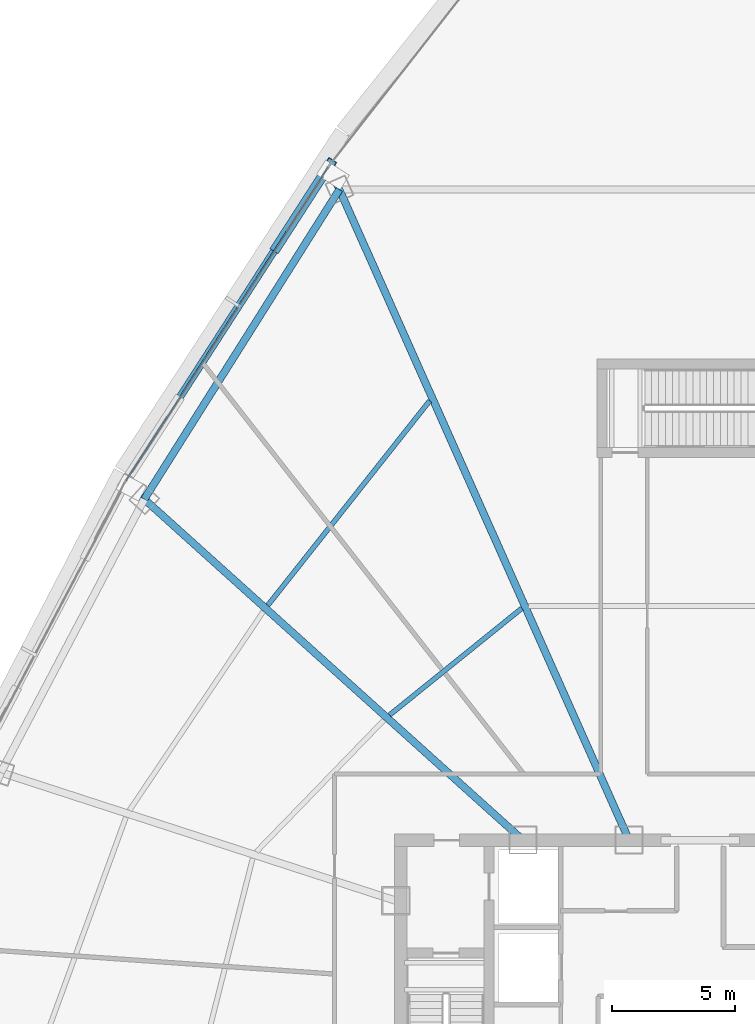
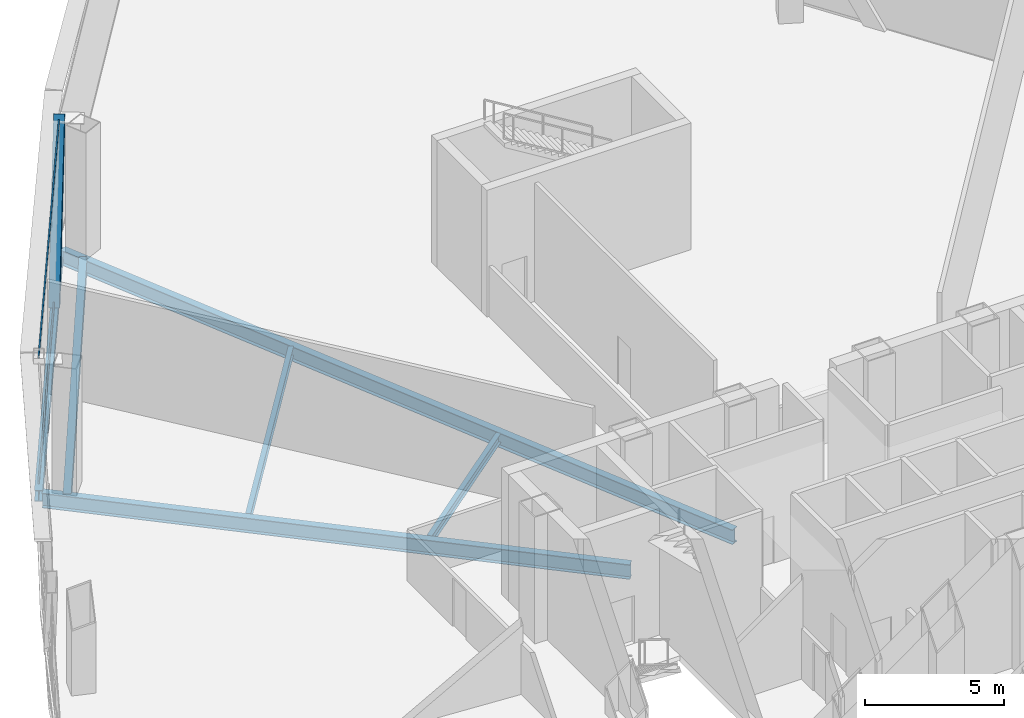
# One storey, part 17 of 38: 6 beams, 3 members, 1 element without a shape of its own.
"""IFC4 building model written with IfcOpenShell, lengths in metres."""

from ifc_helpers import new_model, si_unit, direction, frame, origin, origin_2d, place, context, subcontext, project, spatial, hollow_rectangle, i_section, extrude, source, transform, mapped, material, layer, layer_set, material_profile, profile_set, type_object, element, aggregate, save


model = new_model("IFC4")

# Units and contexts
model_context = context("Model", 3, precision=1e-05, world=origin(), true_north=direction((0.0, 1.0)))
body_context = subcontext(model_context, "Body", "Model", "MODEL_VIEW")
ifc_project = project(units=[si_unit("LENGTHUNIT", "METRE"), si_unit("AREAUNIT", "SQUARE_METRE"), si_unit("VOLUMEUNIT", "CUBIC_METRE"), si_unit("PLANEANGLEUNIT", "RADIAN"), si_unit("MASSUNIT", "GRAM", prefix="KILO"), si_unit("THERMODYNAMICTEMPERATUREUNIT", "KELVIN"), si_unit("POWERUNIT", "WATT")], contexts=[model_context])

# Site, building, storey
site_placement = place(None, origin())
site = spatial("IfcSite", under=ifc_project, at=site_placement, CompositionType="ELEMENT")
building_placement = place(site_placement, origin())
building = spatial("IfcBuilding", under=site, at=building_placement, Name="Yunzhuo Pagoda Commons", CompositionType="ELEMENT")
storey_placement = place(building_placement, frame((0.0, 0.0, 218.9599609375)))
storey = spatial("IfcBuildingStorey", under=building, at=storey_placement, Name="L55", CompositionType="ELEMENT", Elevation=218.9599609375)

# Beams
ifc_material_1 = material(Name="Structural steel Q355B", Category="steel")
ifc_material_profile_1 = material_profile(ifc_material_1, i_section(OverallWidth=0.300048828125, OverallDepth=0.64990234375, WebThickness=0.012939453125, FlangeThickness=0.02197265625, at=origin_2d()), Name="Structural steel Q355B")
ifc_profile_set_1 = profile_set([ifc_material_profile_1], Name="Structural steel Q355B")
beam_type_1 = type_object("IfcBeamType", Name="B-RG2 Beam HN 650x300x13x22", PredefinedType="BEAM", material=ifc_profile_set_1)
shared_shape_1 = source(origin(), body_context, "Body", "SweptSolid", [
    extrude(i_section(OverallWidth=0.300048828125, OverallDepth=0.64990234375, WebThickness=0.012939453125, FlangeThickness=0.02197265625, at=origin_2d()), origin(), (0.0, 0.0, 1.0), 14.916015625),
])
beam_1_placement = place(storey_placement, frame((33.301025390625, 66.714599609375, -0.604736328125), z_axis=(-0.533092374013, -0.846057043449, 0.0), x_axis=(0.846057043449, -0.533092374013, 0.0)))
element("IfcBeam", 1, at=beam_1_placement, inside=storey, type_object=beam_type_1, Name="L55 column-ring beam 9", PredefinedType="BEAM", context=body_context, shape_type="MappedRepresentation", body=[
    mapped(shared_shape_1, transform((0.0, 0.0, 0.0), scale=1.0)),
])
ifc_material_profile_2 = material_profile(ifc_material_1, i_section(OverallWidth=0.199951171875, OverallDepth=0.39990234375, WebThickness=0.008056640625, FlangeThickness=0.012939453125, at=origin_2d()), Name="Structural steel Q355B")
ifc_profile_set_2 = profile_set([ifc_material_profile_2], Name="Structural steel Q355B")
beam_type_2 = type_object("IfcBeamType", Name="B-JS1 Joist HN 400x200x8x13", PredefinedType="JOIST", material=ifc_profile_set_2)
shared_shape_2 = source(origin(), body_context, "Body", "SweptSolid", [
    extrude(i_section(OverallWidth=0.199951171875, OverallDepth=0.39990234375, WebThickness=0.008056640625, FlangeThickness=0.012939453125, at=origin_2d()), origin(), (0.0, 0.0, 1.0), 6.916748046875),
])
beam_2_placement = place(storey_placement, frame((40.732421875, 49.645263671875, -0.479736328125), z_axis=(-0.778265575865, -0.627935262127, 0.0), x_axis=(0.627935262127, -0.778265575865, 0.0)))
element("IfcBeam", 2, at=beam_2_placement, inside=storey, type_object=beam_type_2, Name="L55 composite ring joist 1.9", PredefinedType="JOIST", context=body_context, shape_type="MappedRepresentation", body=[
    mapped(shared_shape_2, transform((0.0, 0.0, 0.0), scale=1.0)),
])
shared_shape_3 = source(origin(), body_context, "Body", "SweptSolid", [
    extrude(i_section(OverallWidth=0.199951171875, OverallDepth=0.39990234375, WebThickness=0.008056640625, FlangeThickness=0.012939453125, at=origin_2d()), origin(), (0.0, 0.0, 1.0), 10.625732421875),
])
beam_3_placement = place(storey_placement, frame((36.980224609375, 58.105224609375, -0.479736328125), z_axis=(-0.620589944532, -0.784135269418, 0.0), x_axis=(0.784135269418, -0.620589944532, 0.0)))
element("IfcBeam", 3, at=beam_3_placement, inside=storey, type_object=beam_type_2, Name="L55 composite ring joist 2.9", PredefinedType="JOIST", context=body_context, shape_type="MappedRepresentation", body=[
    mapped(shared_shape_3, transform((0.0, 0.0, 0.0), scale=1.0)),
])
shared_shape_4 = source(origin(), body_context, "Body", "SweptSolid", [
    extrude(i_section(OverallWidth=0.300048828125, OverallDepth=0.64990234375, WebThickness=0.012939453125, FlangeThickness=0.02197265625, at=origin_2d()), origin(), (0.0, 0.0, 1.0), 21.66064453125),
])
beam_4_placement = place(storey_placement, frame((24.68408203125, 54.69384765625, -0.604736328125), z_axis=(0.743141125535, -0.669134715539, 0.0), x_axis=(0.669134715539, 0.743141125535, 0.0)))
element("IfcBeam", 4, at=beam_4_placement, inside=storey, type_object=beam_type_1, Name="L55 radial floor girder F3C2", PredefinedType="BEAM", context=body_context, shape_type="MappedRepresentation", body=[
    mapped(shared_shape_4, transform((0.0, 0.0, 0.0), scale=1.0)),
])
shared_shape_5 = source(origin(), body_context, "Body", "SweptSolid", [
    extrude(i_section(OverallWidth=0.300048828125, OverallDepth=0.64990234375, WebThickness=0.012939453125, FlangeThickness=0.02197265625, at=origin_2d()), origin(), (0.0, 0.0, 1.0), 29.918701171875),
])
beam_5_placement = place(storey_placement, frame((32.93701171875, 67.531982421875, -0.604736328125), z_axis=(0.406734996524, -0.913546190733, 0.0), x_axis=(0.913546190733, 0.406734996524, 0.0)))
element("IfcBeam", 5, at=beam_5_placement, inside=storey, type_object=beam_type_1, Name="L55 radial floor girder F3C1", PredefinedType="BEAM", context=body_context, shape_type="MappedRepresentation", body=[
    mapped(shared_shape_5, transform((0.0, 0.0, 0.0), scale=1.0)),
])
ifc_material_profile_3 = material_profile(ifc_material_1, i_section(OverallWidth=0.300048828125, OverallDepth=0.488037109375, WebThickness=0.010986328125, FlangeThickness=0.01806640625, at=origin_2d()), Name="Structural steel Q355B")
ifc_profile_set_3 = profile_set([ifc_material_profile_3], Name="Structural steel Q355B")
beam_type_3 = type_object("IfcBeamType", Name="B-SP1 Beam HM 488x300x11x18", PredefinedType="BEAM", material=ifc_profile_set_3)
shared_shape_6 = source(origin(), body_context, "Body", "SweptSolid", [
    extrude(i_section(OverallWidth=0.300048828125, OverallDepth=0.488037109375, WebThickness=0.010986328125, FlangeThickness=0.01806640625, at=origin_2d()), origin(), (0.0, 0.0, 1.0), 15.322265625),
])
beam_6_placement = place(storey_placement, frame((32.8740234375, 67.673583984375, -0.52392578125), z_axis=(-0.542020526887, -0.84036524704, 0.0), x_axis=(0.84036524704, -0.542020526887, 0.0)))
element("IfcBeam", 6, at=beam_6_placement, inside=storey, type_object=beam_type_3, Name="L55 facade edge spandrel beam F3.1", PredefinedType="BEAM", context=body_context, shape_type="MappedRepresentation", body=[
    mapped(shared_shape_6, transform((0.0, 0.0, 0.0), scale=1.0)),
])

# Member
ifc_material_profile_4 = material_profile(ifc_material_1, hollow_rectangle(XDim=0.39990234375, YDim=0.719970703125, WallThickness=0.02392578125, at=origin_2d()), Name="Structural steel Q355B")
ifc_profile_set_4 = profile_set([ifc_material_profile_4], Name="Structural steel Q355B")
member_type_1 = type_object("IfcMemberType", Name="M-DL2 Brace BOX 720x400x24", PredefinedType="BRACE", material=ifc_profile_set_4)
shared_shape_7 = source(origin(), body_context, "Body", "SweptSolid", [
    extrude(hollow_rectangle(XDim=0.39990234375, YDim=0.719970703125, WallThickness=0.02392578125, at=origin_2d()), origin(), (0.0, 0.0, 1.0), 6.99267578125),
])
member_1_placement = place(storey_placement, frame((30.7978515625, 64.45458984375, -0.280029296875), z_axis=(0.296911070423, 0.460344833435, 0.8366160712), x_axis=(-0.840367823728, 0.542016531891, 0.0)))
element("IfcMember", 7, at=member_1_placement, inside=storey, type_object=member_type_1, Name="L55 facade diamond brace F3.1L", PredefinedType="BRACE", context=body_context, shape_type="MappedRepresentation", body=[
    mapped(shared_shape_7, transform((0.0, 0.0, 0.0), scale=1.0)),
])

# Curtain wall, members
ifc_material_2 = material(Name="Anodized aluminium 6063-T6", Category="aluminium")
ifc_layer = layer(ifc_material_2, 0.14990234375)
ifc_layer_set = layer_set([ifc_layer], Name="Anodized aluminium 6063-T6")
curtain_wall_type = type_object("IfcCurtainWallType", Name="CW-MID Mid-Zone Ribbon Curtain Wall", PredefinedType="NOTDEFINED", material=ifc_layer_set)
curtain_wall_placement = place(storey_placement, origin())
curtain_wall = element("IfcCurtainWall", 8, at=curtain_wall_placement, inside=storey, type_object=curtain_wall_type, Name="L55 curtain wall CW-L55-F3B2", PredefinedType="NOTDEFINED")
ifc_material_profile_5 = material_profile(ifc_material_2, hollow_rectangle(XDim=0.054931640625, YDim=0.1298828125, WallThickness=0.00341796875, at=origin_2d()), Name="Anodized aluminium 6063-T6")
ifc_profile_set_5 = profile_set([ifc_material_profile_5], Name="Anodized aluminium 6063-T6")
member_type_2 = type_object("IfcMemberType", Name="CW-MID-T Transom RHS 130x55x3.5", PredefinedType="USERDEFINED", material=ifc_profile_set_5)
shared_shape_8 = source(origin(), body_context, "Body", "SweptSolid", [
    extrude(hollow_rectangle(XDim=0.054931640625, YDim=0.1298828125, WallThickness=0.00341796875, at=origin_2d()), origin(), (0.0, 0.0, 1.0), 15.202392578125),
])
member_2_placement = place(storey_placement, frame((32.841552734375, 67.623291015625, 0.027587890625), z_axis=(-0.542006152923, -0.840374517816, 0.0), x_axis=(0.840374517816, -0.542006152923, 0.0)))
member_2 = element("IfcMember", 9, at=member_2_placement, type_object=member_type_2, Name="CW transom 1.1", ObjectType="TRANSOM", PredefinedType="USERDEFINED", context=body_context, shape_type="MappedRepresentation", body=[
    mapped(shared_shape_8, transform((0.0, 0.0, 0.0), scale=1.0)),
])
member_3_placement = place(storey_placement, frame((32.841552734375, 67.623291015625, 5.54248046875), z_axis=(-0.542006152923, -0.840374517816, 0.0), x_axis=(0.840374517816, -0.542006152923, 0.0)))
member_3 = element("IfcMember", 10, at=member_3_placement, type_object=member_type_2, Name="CW transom 1.2", ObjectType="TRANSOM", PredefinedType="USERDEFINED", context=body_context, shape_type="MappedRepresentation", body=[
    mapped(shared_shape_8, transform((0.0, 0.0, 0.0), scale=1.0)),
])
aggregate(curtain_wall, [member_2, member_3])

save(model, "model.ifc")
